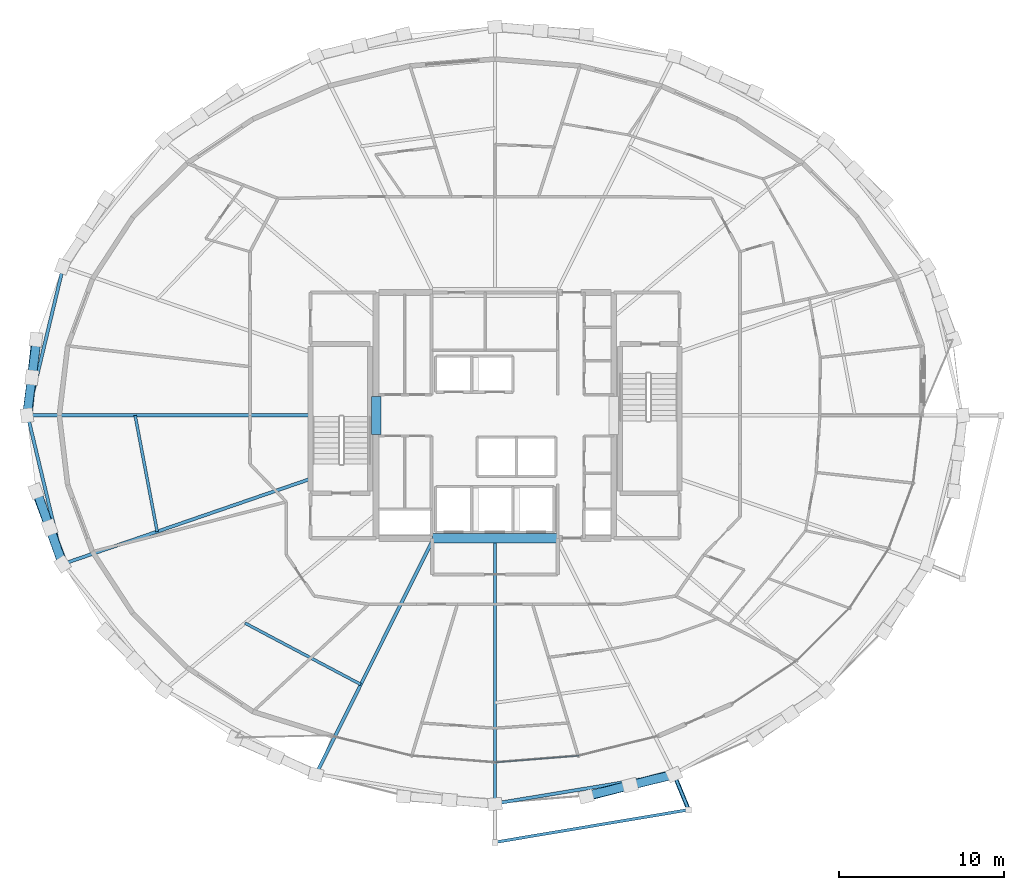
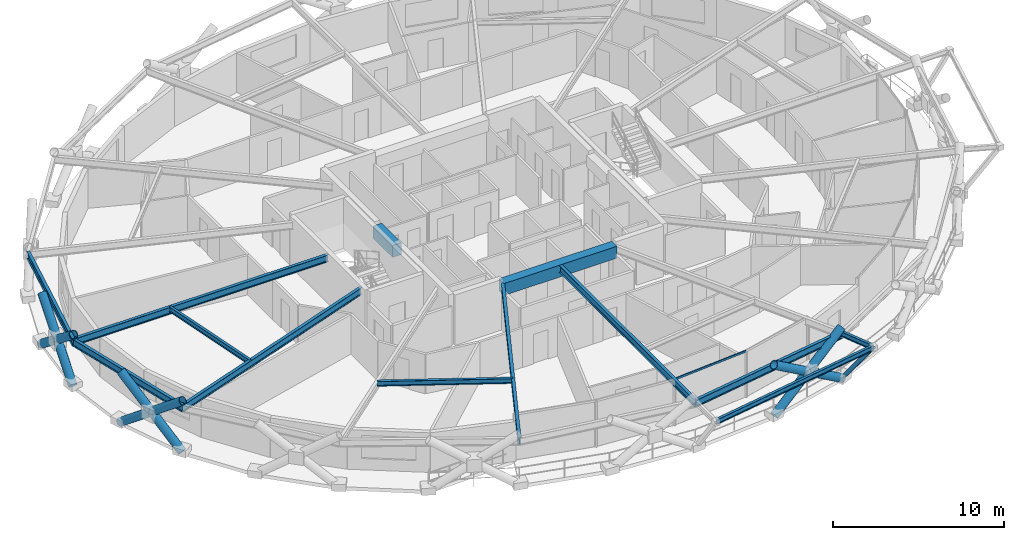
# One storey, part 3 of 22: 13 beams, 11 members, 1 element without a shape of its own.
"""IFC4 building model written with IfcOpenShell, lengths in metres."""

from ifc_helpers import new_model, si_unit, direction, frame, origin, origin_2d, place, context, subcontext, project, spatial, rectangle, hollow_rectangle, hollow_circle, i_section, extrude, material, layer, layer_set, material_profile, profile_set, type_object, element, aggregate, save


model = new_model("IFC4")

# Units and contexts
model_context = context("Model", 3, precision=1e-05, world=origin(), true_north=direction((0.0, 1.0)))
body_context = subcontext(model_context, "Body", "Model", "MODEL_VIEW")
ifc_project = project(units=[si_unit("LENGTHUNIT", "METRE"), si_unit("AREAUNIT", "SQUARE_METRE"), si_unit("VOLUMEUNIT", "CUBIC_METRE"), si_unit("PLANEANGLEUNIT", "RADIAN"), si_unit("MASSUNIT", "GRAM", prefix="KILO")], contexts=[model_context])

# Site, building, storey
site_placement = place(None, origin())
site = spatial("IfcSite", under=ifc_project, at=site_placement, CompositionType="ELEMENT")
building_placement = place(site_placement, origin())
building = spatial("IfcBuilding", under=site, at=building_placement, Name="Veldorina Hangang Commons", CompositionType="ELEMENT")
storey_placement = place(building_placement, frame((0.0, 0.0, 146.0)))
storey = spatial("IfcBuildingStorey", under=building, at=storey_placement, Name="L37", CompositionType="ELEMENT", Elevation=146.0)

# Beams
ifc_material_1 = material(Name="Concrete C60/75", Category="concrete")
ifc_material_profile_1 = material_profile(ifc_material_1, rectangle(XDim=0.60009765625, YDim=0.85009765625, at=origin_2d()), Name="RC-CB-600x850")
ifc_profile_set_1 = profile_set([ifc_material_profile_1], Name="Concrete C60/75")
beam_type_1 = type_object("IfcBeamType", Name="BM-CB850", PredefinedType="LINTEL", material=ifc_profile_set_1)
beam_1_placement = place(storey_placement, frame((24.800048828125, 22.85009765625, 2.925048828125), z_axis=(0.0, 1.0, 0.0), x_axis=(-1.0, 0.0, 0.0)))
element("IfcBeam", 1, at=beam_1_placement, inside=storey, type_object=beam_type_1, Name="L37 W core coupling lintel beam", PredefinedType="LINTEL", context=body_context, shape_type="SweptSolid", body=[
    extrude(rectangle(XDim=0.60009765625, YDim=0.85009765625, at=origin_2d()), origin(), (0.0, 0.0, 1.0), 2.2998046875),
])
beam_2_placement = place(storey_placement, frame((28.199951171875, 16.550048828125, 2.925048828125), z_axis=(1.0, 0.0, 0.0), x_axis=(0.0, 1.0, 0.0)))
element("IfcBeam", 2, at=beam_2_placement, inside=storey, type_object=beam_type_1, Name="L37 south core coupling beam", PredefinedType="LINTEL", context=body_context, shape_type="SweptSolid", body=[
    extrude(rectangle(XDim=0.60009765625, YDim=0.85009765625, at=origin_2d()), origin(), (0.0, 0.0, 1.0), 7.60009765625),
])
ifc_material_2 = material(Name="Steel SM355-TMC", Category="steel")
ifc_material_profile_2 = material_profile(ifc_material_2, i_section(OverallWidth=0.175048828125, OverallDepth=0.35009765625, WebThickness=0.007080078125, FlangeThickness=0.010986328125, FilletRadius=0.012939453125, at=origin_2d()), Name="H-350x175x7x11")
ifc_profile_set_2 = profile_set([ifc_material_profile_2], Name="Steel SM355-TMC")
beam_type_2 = type_object("IfcBeamType", Name="BM-FG350", PredefinedType="BEAM", material=ifc_profile_set_2)
beam_3_placement = place(storey_placement, frame((42.83984375, 2.262939453125, 3.175048828125), z_axis=(0.382630118564, -0.923901614008, 0.0), x_axis=(0.923901614008, 0.382630118564, 0.0)))
element("IfcBeam", 3, at=beam_3_placement, inside=storey, type_object=beam_type_2, Name="L38 tree balcony 1 bracket beam B", PredefinedType="BEAM", context=body_context, shape_type="SweptSolid", body=[
    extrude(i_section(OverallWidth=0.175048828125, OverallDepth=0.35009765625, WebThickness=0.007080078125, FlangeThickness=0.010986328125, FilletRadius=0.012939453125, at=origin_2d()), origin(), (0.0, 0.0, 1.0), 2.349853515625),
])
beam_4_placement = place(storey_placement, frame((32.0, -1.8779296875, 3.175048828125), z_axis=(0.98621317049, 0.165479854824, 0.0), x_axis=(-0.165479854824, 0.98621317049, 0.0)))
element("IfcBeam", 4, at=beam_4_placement, inside=storey, type_object=beam_type_2, Name="L38 tree balcony 1 outer rim beam", PredefinedType="BEAM", context=body_context, shape_type="SweptSolid", body=[
    extrude(i_section(OverallWidth=0.175048828125, OverallDepth=0.35009765625, WebThickness=0.007080078125, FlangeThickness=0.010986328125, FilletRadius=0.012939453125, at=origin_2d()), origin(), (0.0, 0.0, 1.0), 11.903076171875),
])
ifc_material_3 = material(Name="Steel SM420-TMC", Category="steel")
ifc_material_profile_3 = material_profile(ifc_material_3, i_section(OverallWidth=0.199951171875, OverallDepth=0.5, WebThickness=0.010009765625, FlangeThickness=0.01611328125, FilletRadius=0.01611328125, at=origin_2d()), Name="H-500x200x10x16")
ifc_profile_set_3 = profile_set([ifc_material_profile_3], Name="Steel SM420-TMC")
beam_type_3 = type_object("IfcBeamType", Name="BM-FG500", PredefinedType="BEAM", material=ifc_profile_set_3)
beam_5_placement = place(storey_placement, frame((20.820068359375, 24.0, 3.10009765625), z_axis=(-1.0, 0.0, 0.0), x_axis=(0.0, -1.0, 0.0)))
element("IfcBeam", 5, at=beam_5_placement, inside=storey, type_object=beam_type_3, Name="L37 radial floor girder 09", PredefinedType="BEAM", context=body_context, shape_type="SweptSolid", body=[
    extrude(i_section(OverallWidth=0.199951171875, OverallDepth=0.5, WebThickness=0.010009765625, FlangeThickness=0.01611328125, FilletRadius=0.01611328125, at=origin_2d()), origin(), (0.0, 0.0, 1.0), 17.152099609375),
])
beam_6_placement = place(storey_placement, frame((20.820068359375, 20.153564453125, 3.10009765625), z_axis=(-0.945598858352, -0.32533490296, 0.0), x_axis=(0.32533490296, -0.945598858352, 0.0)))
element("IfcBeam", 6, at=beam_6_placement, inside=storey, type_object=beam_type_3, Name="L37 radial floor girder 10", PredefinedType="BEAM", context=body_context, shape_type="SweptSolid", body=[
    extrude(i_section(OverallWidth=0.199951171875, OverallDepth=0.5, WebThickness=0.010009765625, FlangeThickness=0.01611328125, FilletRadius=0.01611328125, at=origin_2d()), origin(), (0.0, 0.0, 1.0), 15.858154296875),
])
beam_7_placement = place(storey_placement, frame((28.28466796875, 16.550048828125, 3.10009765625), z_axis=(-0.446283850787, -0.894891459635, 0.0), x_axis=(0.894891459635, -0.446283850787, 0.0)))
element("IfcBeam", 7, at=beam_7_placement, inside=storey, type_object=beam_type_3, Name="L37 radial floor girder 12", PredefinedType="BEAM", context=body_context, shape_type="SweptSolid", body=[
    extrude(i_section(OverallWidth=0.199951171875, OverallDepth=0.5, WebThickness=0.010009765625, FlangeThickness=0.01611328125, FilletRadius=0.01611328125, at=origin_2d()), origin(), (0.0, 0.0, 1.0), 15.969482421875),
])
beam_8_placement = place(storey_placement, frame((32.0, 16.550048828125, 3.10009765625), z_axis=(0.0, -1.0, 0.0), x_axis=(1.0, 0.0, 0.0)))
element("IfcBeam", 8, at=beam_8_placement, inside=storey, type_object=beam_type_3, Name="L37 radial floor girder 13", PredefinedType="BEAM", context=body_context, shape_type="SweptSolid", body=[
    extrude(i_section(OverallWidth=0.199951171875, OverallDepth=0.5, WebThickness=0.010009765625, FlangeThickness=0.01611328125, FilletRadius=0.01611328125, at=origin_2d()), origin(), (0.0, 0.0, 1.0), 16.082275390625),
])
ifc_material_profile_4 = material_profile(ifc_material_2, i_section(OverallWidth=0.175048828125, OverallDepth=0.35009765625, WebThickness=0.007080078125, FlangeThickness=0.010986328125, FilletRadius=0.012939453125, at=origin_2d()), Name="H-350x175x7x11")
ifc_profile_set_4 = profile_set([ifc_material_profile_4], Name="Steel SM355-TMC")
beam_type_4 = type_object("IfcBeamType", Name="BM-JST350", PredefinedType="JOIST", material=ifc_profile_set_4)
beam_9_placement = place(storey_placement, frame((10.185791015625, 24.0, 3.175048828125), z_axis=(0.186475308108, -0.982459647755, 0.0), x_axis=(0.982459647755, 0.186475308108, 0.0)))
element("IfcBeam", 9, at=beam_9_placement, inside=storey, type_object=beam_type_4, Name="L37 secondary floor joist 09", PredefinedType="JOIST", context=body_context, shape_type="SweptSolid", body=[
    extrude(i_section(OverallWidth=0.175048828125, OverallDepth=0.35009765625, WebThickness=0.007080078125, FlangeThickness=0.010986328125, FilletRadius=0.012939453125, at=origin_2d()), origin(), (0.0, 0.0, 1.0), 7.170654296875),
])
beam_10_placement = place(storey_placement, frame((16.843017578125, 11.41064453125, 3.175048828125), z_axis=(0.883636189026, -0.468174204163, 0.0), x_axis=(0.468174204163, 0.883636189026, 0.0)))
element("IfcBeam", 10, at=beam_10_placement, inside=storey, type_object=beam_type_4, Name="L37 secondary floor joist 11", PredefinedType="JOIST", context=body_context, shape_type="SweptSolid", body=[
    extrude(i_section(OverallWidth=0.175048828125, OverallDepth=0.35009765625, WebThickness=0.007080078125, FlangeThickness=0.010986328125, FilletRadius=0.012939453125, at=origin_2d()), origin(), (0.0, 0.0, 1.0), 7.94775390625),
])
ifc_material_profile_5 = material_profile(ifc_material_3, i_section(OverallWidth=0.199951171875, OverallDepth=0.5, WebThickness=0.010009765625, FlangeThickness=0.01611328125, FilletRadius=0.01611328125, at=origin_2d()), Name="H-500x200x10x16")
ifc_profile_set_5 = profile_set([ifc_material_profile_5], Name="Steel SM420-TMC")
beam_type_5 = type_object("IfcBeamType", Name="BM-RB500", PredefinedType="BEAM", material=ifc_profile_set_5)
for number, where, z_axis, x_axis, name in (
    (11, (5.82470703125, 33.005615234375, 3.10009765625), (-0.232902276415, -0.972500143774, 0.0), (0.972500143774, -0.232902276415, 0.0), "L37 perimeter hoop ring beam 14"),
    (12, (3.66796875, 24.0, 3.10009765625), (0.232902276415, -0.972500143774, 0.0), (0.972500143774, 0.232902276415, 0.0), "L37 perimeter hoop ring beam 16"),
):
    element("IfcBeam", number, at=place(storey_placement, frame(where, z_axis=z_axis, x_axis=x_axis)), inside=storey, type_object=beam_type_5, Name=name, PredefinedType="BEAM", context=body_context, shape_type="SweptSolid", body=[
        extrude(i_section(OverallWidth=0.199951171875, OverallDepth=0.5, WebThickness=0.010009765625, FlangeThickness=0.01611328125, FilletRadius=0.01611328125, at=origin_2d()), origin(), (0.0, 0.0, 1.0), 9.26025390625),
    ])
beam_11_placement = place(storey_placement, frame((32.0, 0.4677734375, 3.10009765625), z_axis=(0.986625904332, 0.163000996624, 0.0), x_axis=(-0.163000996624, 0.986625904332, 0.0)))
element("IfcBeam", 13, at=beam_11_placement, inside=storey, type_object=beam_type_5, Name="L37 perimeter hoop ring beam 24", PredefinedType="BEAM", context=body_context, shape_type="SweptSolid", body=[
    extrude(i_section(OverallWidth=0.199951171875, OverallDepth=0.5, WebThickness=0.010009765625, FlangeThickness=0.01611328125, FilletRadius=0.01611328125, at=origin_2d()), origin(), (0.0, 0.0, 1.0), 10.9892578125),
])

# Curtain wall, member
ifc_material_4 = material(Name="Glass Low-E Triple IGU", Category="glass")
ifc_layer = layer(ifc_material_4, 0.179931640625)
ifc_layer_set = layer_set([ifc_layer], Name="Glass Low-E Triple IGU")
curtain_wall_type = type_object("IfcCurtainWallType", Name="CW-SYS-Z2", PredefinedType="NOTDEFINED", material=ifc_layer_set)
curtain_wall_placement = place(storey_placement, origin())
curtain_wall = element("IfcCurtainWall", 14, at=curtain_wall_placement, inside=storey, type_object=curtain_wall_type, Name="L37 unitised curtain wall CW-L37-R1", PredefinedType="NOTDEFINED")
ifc_material_5 = material(Name="Aluminium Anodized AA6063-T6", Category="aluminium")
ifc_material_profile_6 = material_profile(ifc_material_5, hollow_rectangle(XDim=0.06005859375, YDim=0.139892578125, WallThickness=0.00341796875, at=origin_2d()), Name="ALU-RHS-140x60x3.5")
ifc_profile_set_6 = profile_set([ifc_material_profile_6], Name="Aluminium Anodized AA6063-T6")
member_type_1 = type_object("IfcMemberType", Name="CW-TRN-140", PredefinedType="USERDEFINED", material=ifc_profile_set_6)
member_1_placement = place(storey_placement, frame((32.0, 2.960693359375, 3.27001953125), z_axis=(0.996802069583, 0.079910162523, 0.0), x_axis=(-0.079910162523, 0.996802069583, 0.0)))
member_1 = element("IfcMember", 15, at=member_1_placement, type_object=member_type_1, Name="CW-L37-R1 facet 3 transom 1", ObjectType="TRANSOM", PredefinedType="USERDEFINED", context=body_context, shape_type="SweptSolid", body=[
    extrude(hollow_rectangle(XDim=0.06005859375, YDim=0.139892578125, WallThickness=0.00341796875, at=origin_2d()), origin(), (0.0, 0.0, 1.0), 5.059326171875),
])
aggregate(curtain_wall, [member_1])

# Members
ifc_material_profile_7 = material_profile(ifc_material_3, hollow_circle(Radius=0.27490234375, WallThickness=0.028076171875, at=origin_2d()), Name="CHS-550x28")
ifc_profile_set_7 = profile_set([ifc_material_profile_7], Name="Steel SM420-TMC")
member_type_2 = type_object("IfcMemberType", Name="DG-CHS550", PredefinedType="BRACE", material=ifc_profile_set_7)
member_2_placement = place(storey_placement, frame((4.174560546875, 28.59619140625, 0.0), z_axis=(-0.085370465333, -0.784375002617, 0.614384032115), x_axis=(0.994129161274, -0.108199864626, 0.0)))
element("IfcMember", 16, at=member_2_placement, inside=storey, type_object=member_type_2, Name="L37 continuous perimeter diagrid brace 15", PredefinedType="BRACE", context=body_context, shape_type="SweptSolid", body=[
    extrude(hollow_circle(Radius=0.27490234375, WallThickness=0.028076171875, at=origin_2d()), origin(), (0.0, 0.0, 1.0), 5.859619140625),
])
member_3_placement = place(storey_placement, frame((3.62939453125, 24.0, 0.0), z_axis=(0.100532086686, 0.782868658487, 0.614011370502), x_axis=(-0.991855386339, 0.127369119453, 0.0)))
element("IfcMember", 17, at=member_3_placement, inside=storey, type_object=member_type_2, Name="L37 split perimeter diagrid lower brace 16", PredefinedType="BRACE", context=body_context, shape_type="SweptSolid", body=[
    extrude(hollow_circle(Radius=0.27490234375, WallThickness=0.028076171875, at=origin_2d()), origin(), (0.0, 0.0, 1.0), 2.93359375),
])
member_4_placement = place(storey_placement, frame((3.92431640625, 26.296630859375, 1.80126953125), z_axis=(0.100421309516, 0.782869528294, 0.614028388809), x_axis=(-0.991873125435, 0.127230904423, 0.0)))
element("IfcMember", 18, at=member_4_placement, inside=storey, type_object=member_type_2, Name="L37 split perimeter diagrid upper brace 16", PredefinedType="BRACE", context=body_context, shape_type="SweptSolid", body=[
    extrude(hollow_circle(Radius=0.27490234375, WallThickness=0.028076171875, at=origin_2d()), origin(), (0.0, 0.0, 1.0), 2.929443359375),
])
member_5_placement = place(storey_placement, frame((4.174560546875, 19.40380859375, 0.0), z_axis=(0.27935569244, -0.743657869555, 0.607398855902), x_axis=(0.936128721787, 0.351657526928, 0.0)))
element("IfcMember", 19, at=member_5_placement, inside=storey, type_object=member_type_2, Name="L37 continuous perimeter diagrid brace 17", PredefinedType="BRACE", context=body_context, shape_type="SweptSolid", body=[
    extrude(hollow_circle(Radius=0.27490234375, WallThickness=0.028076171875, at=origin_2d()), origin(), (0.0, 0.0, 1.0), 5.927001953125),
])
member_6_placement = place(storey_placement, frame((5.7890625, 14.984130859375, 0.0), z_axis=(-0.265442903546, 0.747923931396, 0.608399422915), x_axis=(-0.942407673637, -0.334466405892, 0.0)))
element("IfcMember", 20, at=member_6_placement, inside=storey, type_object=member_type_2, Name="L37 split perimeter diagrid lower brace 18", PredefinedType="BRACE", context=body_context, shape_type="SweptSolid", body=[
    extrude(hollow_circle(Radius=0.27490234375, WallThickness=0.028076171875, at=origin_2d()), origin(), (0.0, 0.0, 1.0), 2.960693359375),
])
member_7_placement = place(storey_placement, frame((5.003173828125, 17.198486328125, 1.80126953125), z_axis=(-0.265389199854, 0.747945044267, 0.608396896242), x_axis=(-0.942431976407, -0.334397921414, 0.0)))
element("IfcMember", 21, at=member_7_placement, inside=storey, type_object=member_type_2, Name="L37 split perimeter diagrid upper brace 18", PredefinedType="BRACE", context=body_context, shape_type="SweptSolid", body=[
    extrude(hollow_circle(Radius=0.27490234375, WallThickness=0.028076171875, at=origin_2d()), origin(), (0.0, 0.0, 1.0), 2.956787109375),
])
member_8_placement = place(storey_placement, frame((37.534912109375, 0.893310546875, 0.0), z_axis=(0.809193179875, 0.208917747669, 0.549144582376), x_axis=(-0.249983136322, 0.968250190578, 0.0)))
element("IfcMember", 22, at=member_8_placement, inside=storey, type_object=member_type_2, Name="L37 continuous perimeter diagrid brace 25", PredefinedType="BRACE", context=body_context, shape_type="SweptSolid", body=[
    extrude(hollow_circle(Radius=0.27490234375, WallThickness=0.028076171875, at=origin_2d()), origin(), (0.0, 0.0, 1.0), 6.555908203125),
])
member_9_placement = place(storey_placement, frame((42.85693359375, 2.23388671875, 0.0), z_axis=(-0.812053707218, -0.199483081656, 0.548429828443), x_axis=(0.238560030043, -0.971127752701, 0.0)))
element("IfcMember", 23, at=member_9_placement, inside=storey, type_object=member_type_2, Name="L37 split perimeter diagrid lower brace 26", PredefinedType="BRACE", context=body_context, shape_type="SweptSolid", body=[
    extrude(hollow_circle(Radius=0.27490234375, WallThickness=0.028076171875, at=origin_2d()), origin(), (0.0, 0.0, 1.0), 3.284912109375),
])
member_10_placement = place(storey_placement, frame((40.189453125, 1.57861328125, 1.801513671875), z_axis=(-0.812056722567, -0.199571369805, 0.548393241833), x_axis=(0.238658764744, -0.971103492946, 0.0)))
element("IfcMember", 24, at=member_10_placement, inside=storey, type_object=member_type_2, Name="L37 split perimeter diagrid upper brace 26", PredefinedType="BRACE", context=body_context, shape_type="SweptSolid", body=[
    extrude(hollow_circle(Radius=0.27490234375, WallThickness=0.028076171875, at=origin_2d()), origin(), (0.0, 0.0, 1.0), 3.27978515625),
])
ifc_material_profile_8 = material_profile(ifc_material_2, hollow_rectangle(XDim=0.25, YDim=0.25, WallThickness=0.011962890625, at=origin_2d()), Name="SHS-250x250x12")
ifc_profile_set_8 = profile_set([ifc_material_profile_8], Name="Steel SM355-TMC")
member_type_3 = type_object("IfcMemberType", Name="STR-SHS250", PredefinedType="STRUT", material=ifc_profile_set_8)
member_11_placement = place(storey_placement, frame((42.85693359375, 2.23388671875, 0.0), z_axis=(0.224428610024, -0.5450142885, 0.807831185542), x_axis=(0.924671550582, 0.38076570689, 0.0)))
element("IfcMember", 25, at=member_11_placement, inside=storey, type_object=member_type_3, Name="L38 tree balcony 1 raking knee strut B", PredefinedType="STRUT", context=body_context, shape_type="SweptSolid", body=[
    extrude(hollow_rectangle(XDim=0.25, YDim=0.25, WallThickness=0.011962890625, at=origin_2d()), origin(), (0.0, 0.0, 1.0), 3.930419921875),
])

save(model, "model.ifc")
